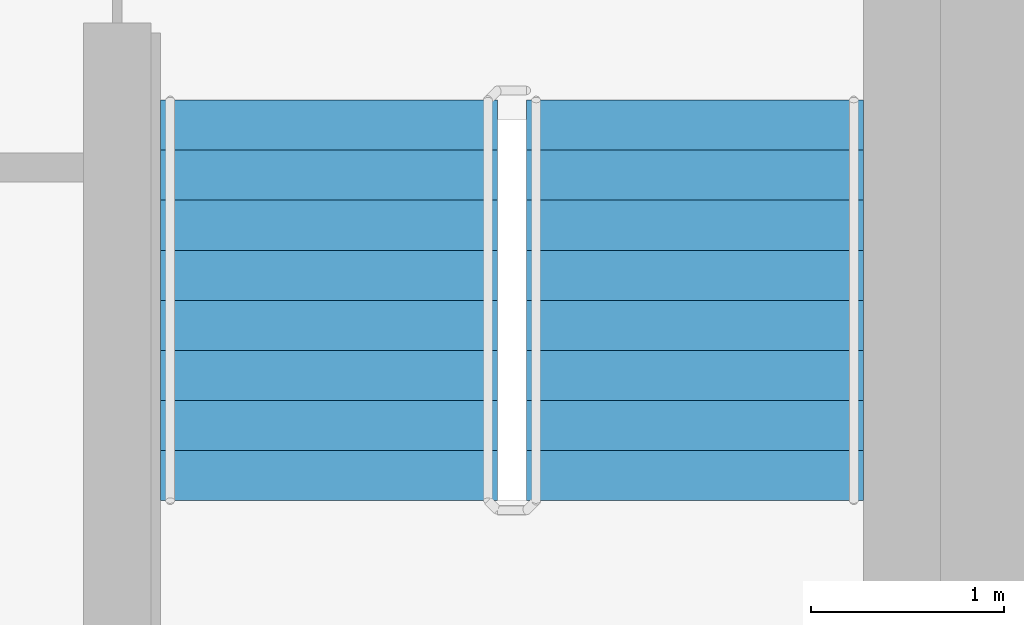
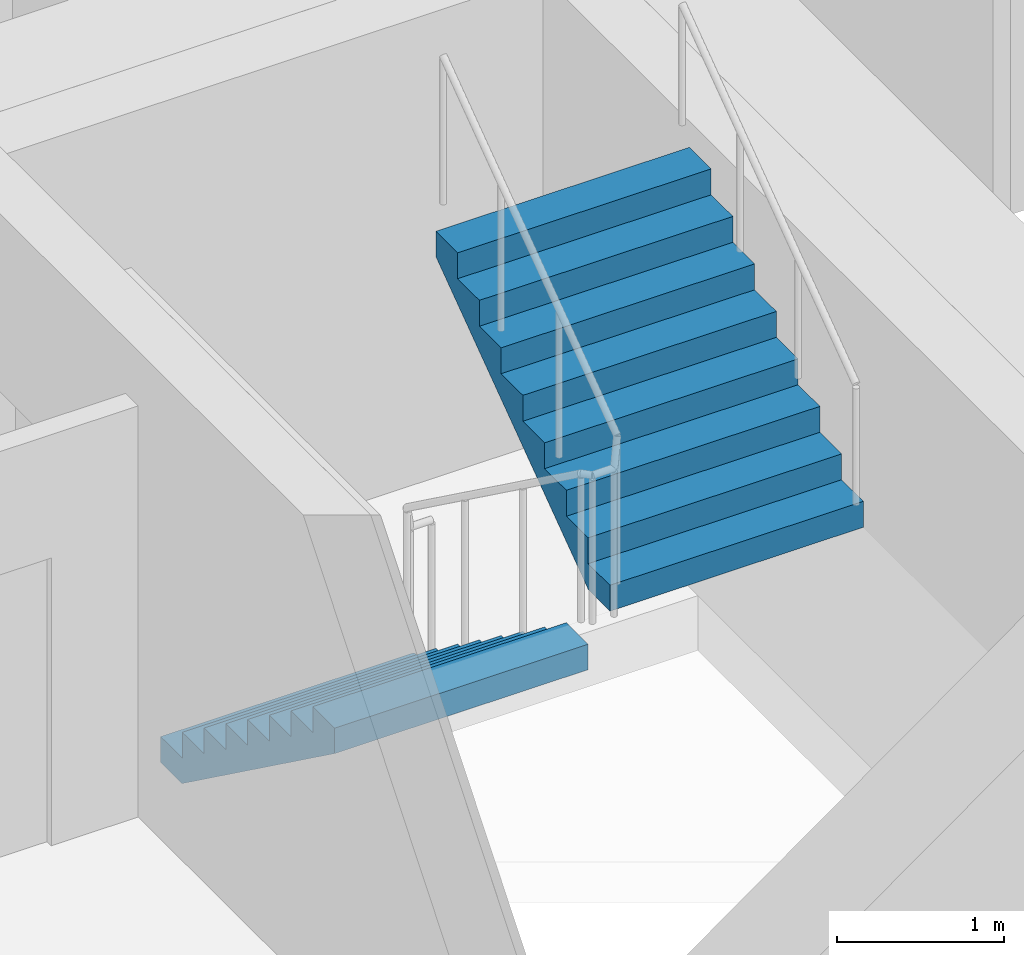
# One storey, part 14 of 18: 2 stair flights, 1 element without a shape of its own.
"""IFC4 building model written with IfcOpenShell, lengths in metres."""

from ifc_helpers import new_model, si_unit, direction, frame, origin, place, context, subcontext, project, spatial, faceted_brep, material, type_object, element, aggregate, save


model = new_model("IFC4")

# Units and contexts
model_context = context("Model", 3, precision=1e-05, world=origin(), true_north=direction((0.0, 1.0)))
body_context = subcontext(model_context, "Body", "Model", "MODEL_VIEW")
ifc_project = project(units=[si_unit("LENGTHUNIT", "METRE"), si_unit("AREAUNIT", "SQUARE_METRE"), si_unit("VOLUMEUNIT", "CUBIC_METRE"), si_unit("PLANEANGLEUNIT", "RADIAN"), si_unit("MASSUNIT", "GRAM", prefix="KILO")], contexts=[model_context])

# Site, building, storey
site_placement = place(None, origin())
site = spatial("IfcSite", under=ifc_project, at=site_placement, CompositionType="ELEMENT")
building_placement = place(site_placement, origin())
building = spatial("IfcBuilding", under=site, at=building_placement, Name="Ipe Terrace Towers", CompositionType="ELEMENT")
storey_placement = place(building_placement, frame((0.0, 0.0, 164.300048828125)))
storey = spatial("IfcBuildingStorey", under=building, at=storey_placement, Name="L45", CompositionType="ELEMENT", Elevation=164.300048828125)

# Stair, stair flights
ifc_material_1 = material(Name="Concrete C30/37", Category="concrete")
stair_type = type_object("IfcStairType", Name="Protected exit stair", PredefinedType="HALF_TURN_STAIR", material=ifc_material_1)
stair_placement = place(storey_placement, origin())
stair = element("IfcStair", 1, at=stair_placement, inside=storey, type_object=stair_type, Name="L45 Exit stair T2-C2", PredefinedType="HALF_TURN_STAIR")
ifc_material_2 = material(Name="Concrete C30/37", Category="concrete")
stair_flight_type = type_object("IfcStairFlightType", Name="Exit stair flight 1750", PredefinedType="STRAIGHT", material=ifc_material_2)
stair_flight_1_placement = place(storey_placement, frame((38.77490234375, -9.699951171875, 0.0), z_axis=(0.0, 0.0, 1.0), x_axis=(0.0, -1.0, 0.0)))
stair_flight_1 = element("IfcStairFlight", 2, at=stair_flight_1_placement, type_object=stair_flight_type, Name="T2-ST2 flight 1", NumberOfRisers=9, NumberOfTreads=8, PredefinedType="STRAIGHT", RiserHeight=0.188888889, TreadLength=0.26, context=body_context, shape_type="Brep", body=[
    faceted_brep([(0.255126953125, -0.875, 0.0), (2.080078125, -0.875, 1.325927734375), (2.080078125, -0.875, 1.51123046875), (1.820068359375, -0.875, 1.51123046875), (1.820068359375, -0.875, 1.322265625), (1.56005859375, -0.875, 1.322265625), (1.56005859375, -0.875, 1.13330078125), (1.300048828125, -0.875, 1.13330078125), (1.300048828125, -0.875, 0.9443359375), (1.0400390625, -0.875, 0.9443359375), (1.0400390625, -0.875, 0.755615234375), (0.780029296875, -0.875, 0.755615234375), (0.780029296875, -0.875, 0.566650390625), (0.52001953125, -0.875, 0.566650390625), (0.52001953125, -0.875, 0.377685546875), (0.260009765625, -0.875, 0.377685546875), (0.260009765625, -0.875, 0.18896484375), (0.0, -0.875, 0.18896484375), (0.0, -0.875, 0.0), (0.0, 0.875, 0.0), (0.0, 0.875, 0.18896484375), (0.260009765625, 0.875, 0.18896484375), (0.260009765625, 0.875, 0.377685546875), (0.52001953125, 0.875, 0.377685546875), (0.52001953125, 0.875, 0.566650390625), (0.780029296875, 0.875, 0.566650390625), (0.780029296875, 0.875, 0.755615234375), (1.0400390625, 0.875, 0.755615234375), (1.0400390625, 0.875, 0.9443359375), (1.300048828125, 0.875, 0.9443359375), (1.300048828125, 0.875, 1.13330078125), (1.56005859375, 0.875, 1.13330078125), (1.56005859375, 0.875, 1.322265625), (1.820068359375, 0.875, 1.322265625), (1.820068359375, 0.875, 1.51123046875), (2.080078125, 0.875, 1.51123046875), (2.080078125, 0.875, 1.325927734375), (0.255126953125, 0.875, 0.0), (0.0, -0.300048828125, 0.18896484375), (0.0, -0.1201171875, 0.18896484375), (0.0, -0.06005859375, 0.18896484375), (0.0, -0.030029296875, 0.18896484375), (0.0, -0.010009765625, 0.18896484375), (0.0, 0.0, 0.18896484375), (0.0, 0.010009765625, 0.18896484375), (0.0, 0.030029296875, 0.18896484375), (0.0, 0.06005859375, 0.18896484375), (0.0, 0.1201171875, 0.18896484375), (0.0, 0.300048828125, 0.18896484375), (0.0, 0.300048828125, 0.0), (0.0, 0.1201171875, 0.0), (0.0, 0.06005859375, 0.0), (0.0, 0.030029296875, 0.0), (0.0, 0.010009765625, 0.0), (0.0, 0.0, 0.0), (0.0, -0.010009765625, 0.0), (0.0, -0.030029296875, 0.0), (0.0, -0.06005859375, 0.0), (0.0, -0.1201171875, 0.0), (0.0, -0.300048828125, 0.0), (0.260009765625, -0.300048828125, 0.18896484375), (0.260009765625, -0.1201171875, 0.18896484375), (0.260009765625, -0.06005859375, 0.18896484375), (0.260009765625, -0.030029296875, 0.18896484375), (0.260009765625, -0.010009765625, 0.18896484375), (0.260009765625, 0.0, 0.18896484375), (0.260009765625, 0.010009765625, 0.18896484375), (0.260009765625, 0.030029296875, 0.18896484375), (0.260009765625, 0.06005859375, 0.18896484375), (0.260009765625, 0.1201171875, 0.18896484375), (0.260009765625, 0.300048828125, 0.18896484375), (0.260009765625, -0.300048828125, 0.377685546875), (0.260009765625, -0.1201171875, 0.377685546875), (0.260009765625, -0.06005859375, 0.377685546875), (0.260009765625, -0.030029296875, 0.377685546875), (0.260009765625, -0.010009765625, 0.377685546875), (0.260009765625, 0.0, 0.377685546875), (0.260009765625, 0.010009765625, 0.377685546875), (0.260009765625, 0.030029296875, 0.377685546875), (0.260009765625, 0.06005859375, 0.377685546875), (0.260009765625, 0.1201171875, 0.377685546875), (0.260009765625, 0.300048828125, 0.377685546875), (0.52001953125, -0.300048828125, 0.377685546875), (0.52001953125, -0.1201171875, 0.377685546875), (0.52001953125, -0.06005859375, 0.377685546875), (0.52001953125, -0.030029296875, 0.377685546875), (0.52001953125, -0.010009765625, 0.377685546875), (0.52001953125, 0.0, 0.377685546875), (0.52001953125, 0.010009765625, 0.377685546875), (0.52001953125, 0.030029296875, 0.377685546875), (0.52001953125, 0.06005859375, 0.377685546875), (0.52001953125, 0.1201171875, 0.377685546875), (0.52001953125, 0.300048828125, 0.377685546875), (0.52001953125, -0.300048828125, 0.566650390625), (0.52001953125, -0.1201171875, 0.566650390625), (0.52001953125, -0.06005859375, 0.566650390625), (0.52001953125, -0.030029296875, 0.566650390625), (0.52001953125, -0.010009765625, 0.566650390625), (0.52001953125, 0.0, 0.566650390625), (0.52001953125, 0.010009765625, 0.566650390625), (0.52001953125, 0.030029296875, 0.566650390625), (0.52001953125, 0.06005859375, 0.566650390625), (0.52001953125, 0.1201171875, 0.566650390625), (0.52001953125, 0.300048828125, 0.566650390625), (0.780029296875, -0.300048828125, 0.566650390625), (0.780029296875, -0.1201171875, 0.566650390625), (0.780029296875, -0.06005859375, 0.566650390625), (0.780029296875, -0.030029296875, 0.566650390625), (0.780029296875, -0.010009765625, 0.566650390625), (0.780029296875, 0.0, 0.566650390625), (0.780029296875, 0.010009765625, 0.566650390625), (0.780029296875, 0.030029296875, 0.566650390625), (0.780029296875, 0.06005859375, 0.566650390625), (0.780029296875, 0.1201171875, 0.566650390625), (0.780029296875, 0.300048828125, 0.566650390625), (0.780029296875, -0.300048828125, 0.755615234375), (0.780029296875, -0.1201171875, 0.755615234375), (0.780029296875, -0.06005859375, 0.755615234375), (0.780029296875, -0.030029296875, 0.755615234375), (0.780029296875, -0.010009765625, 0.755615234375), (0.780029296875, 0.0, 0.755615234375), (0.780029296875, 0.010009765625, 0.755615234375), (0.780029296875, 0.030029296875, 0.755615234375), (0.780029296875, 0.06005859375, 0.755615234375), (0.780029296875, 0.1201171875, 0.755615234375), (0.780029296875, 0.300048828125, 0.755615234375), (1.0400390625, -0.300048828125, 0.755615234375), (1.0400390625, -0.1201171875, 0.755615234375), (1.0400390625, -0.06005859375, 0.755615234375), (1.0400390625, -0.030029296875, 0.755615234375), (1.0400390625, -0.010009765625, 0.755615234375), (1.0400390625, 0.0, 0.755615234375), (1.0400390625, 0.010009765625, 0.755615234375), (1.0400390625, 0.030029296875, 0.755615234375), (1.0400390625, 0.06005859375, 0.755615234375), (1.0400390625, 0.1201171875, 0.755615234375), (1.0400390625, 0.300048828125, 0.755615234375), (1.0400390625, -0.300048828125, 0.9443359375), (1.0400390625, -0.1201171875, 0.9443359375), (1.0400390625, -0.06005859375, 0.9443359375), (1.0400390625, -0.030029296875, 0.9443359375), (1.0400390625, -0.010009765625, 0.9443359375), (1.0400390625, 0.0, 0.9443359375), (1.0400390625, 0.010009765625, 0.9443359375), (1.0400390625, 0.030029296875, 0.9443359375), (1.0400390625, 0.06005859375, 0.9443359375), (1.0400390625, 0.1201171875, 0.9443359375), (1.0400390625, 0.300048828125, 0.9443359375), (1.300048828125, -0.300048828125, 0.9443359375), (1.300048828125, -0.1201171875, 0.9443359375), (1.300048828125, -0.06005859375, 0.9443359375), (1.300048828125, -0.030029296875, 0.9443359375), (1.300048828125, -0.010009765625, 0.9443359375), (1.300048828125, 0.0, 0.9443359375), (1.300048828125, 0.010009765625, 0.9443359375), (1.300048828125, 0.030029296875, 0.9443359375), (1.300048828125, 0.06005859375, 0.9443359375), (1.300048828125, 0.1201171875, 0.9443359375), (1.300048828125, 0.300048828125, 0.9443359375), (1.300048828125, -0.300048828125, 1.13330078125), (1.300048828125, -0.1201171875, 1.13330078125), (1.300048828125, -0.06005859375, 1.13330078125), (1.300048828125, -0.030029296875, 1.13330078125), (1.300048828125, -0.010009765625, 1.13330078125), (1.300048828125, 0.0, 1.13330078125), (1.300048828125, 0.010009765625, 1.13330078125), (1.300048828125, 0.030029296875, 1.13330078125), (1.300048828125, 0.06005859375, 1.13330078125), (1.300048828125, 0.1201171875, 1.13330078125), (1.300048828125, 0.300048828125, 1.13330078125), (1.56005859375, -0.300048828125, 1.13330078125), (1.56005859375, -0.1201171875, 1.13330078125), (1.56005859375, -0.06005859375, 1.13330078125), (1.56005859375, -0.030029296875, 1.13330078125), (1.56005859375, -0.010009765625, 1.13330078125), (1.56005859375, 0.0, 1.13330078125), (1.56005859375, 0.010009765625, 1.13330078125), (1.56005859375, 0.030029296875, 1.13330078125), (1.56005859375, 0.06005859375, 1.13330078125), (1.56005859375, 0.1201171875, 1.13330078125), (1.56005859375, 0.300048828125, 1.13330078125), (1.56005859375, -0.300048828125, 1.322265625), (1.56005859375, -0.1201171875, 1.322265625), (1.56005859375, -0.06005859375, 1.322265625), (1.56005859375, -0.030029296875, 1.322265625), (1.56005859375, -0.010009765625, 1.322265625), (1.56005859375, 0.0, 1.322265625), (1.56005859375, 0.010009765625, 1.322265625), (1.56005859375, 0.030029296875, 1.322265625), (1.56005859375, 0.06005859375, 1.322265625), (1.56005859375, 0.1201171875, 1.322265625), (1.56005859375, 0.300048828125, 1.322265625), (1.820068359375, -0.300048828125, 1.322265625), (1.820068359375, -0.1201171875, 1.322265625), (1.820068359375, -0.06005859375, 1.322265625), (1.820068359375, -0.030029296875, 1.322265625), (1.820068359375, -0.010009765625, 1.322265625), (1.820068359375, 0.0, 1.322265625), (1.820068359375, 0.010009765625, 1.322265625), (1.820068359375, 0.030029296875, 1.322265625), (1.820068359375, 0.06005859375, 1.322265625), (1.820068359375, 0.1201171875, 1.322265625), (1.820068359375, 0.300048828125, 1.322265625), (1.820068359375, -0.300048828125, 1.51123046875), (1.820068359375, -0.1201171875, 1.51123046875), (1.820068359375, -0.06005859375, 1.51123046875), (1.820068359375, -0.030029296875, 1.51123046875), (1.820068359375, -0.010009765625, 1.51123046875), (1.820068359375, 0.0, 1.51123046875), (1.820068359375, 0.010009765625, 1.51123046875), (1.820068359375, 0.030029296875, 1.51123046875), (1.820068359375, 0.06005859375, 1.51123046875), (1.820068359375, 0.1201171875, 1.51123046875), (1.820068359375, 0.300048828125, 1.51123046875), (2.080078125, -0.300048828125, 1.51123046875), (2.080078125, -0.1201171875, 1.51123046875), (2.080078125, -0.06005859375, 1.51123046875), (2.080078125, -0.030029296875, 1.51123046875), (2.080078125, -0.010009765625, 1.51123046875), (2.080078125, 0.0, 1.51123046875), (2.080078125, 0.010009765625, 1.51123046875), (2.080078125, 0.030029296875, 1.51123046875), (2.080078125, 0.06005859375, 1.51123046875), (2.080078125, 0.1201171875, 1.51123046875), (2.080078125, 0.300048828125, 1.51123046875), (2.080078125, -0.300048828125, 1.325927734375), (2.080078125, -0.1201171875, 1.325927734375), (2.080078125, -0.06005859375, 1.325927734375), (2.080078125, -0.030029296875, 1.325927734375), (2.080078125, -0.010009765625, 1.325927734375), (2.080078125, 0.0, 1.325927734375), (2.080078125, 0.010009765625, 1.325927734375), (2.080078125, 0.030029296875, 1.325927734375), (2.080078125, 0.06005859375, 1.325927734375), (2.080078125, 0.1201171875, 1.325927734375), (2.080078125, 0.300048828125, 1.325927734375), (0.255126953125, -0.300048828125, 0.0), (0.255126953125, -0.1201171875, 0.0), (0.255126953125, -0.06005859375, 0.0), (0.255126953125, -0.030029296875, 0.0), (0.255126953125, -0.010009765625, 0.0), (0.255126953125, 0.0, 0.0), (0.255126953125, 0.010009765625, 0.0), (0.255126953125, 0.030029296875, 0.0), (0.255126953125, 0.06005859375, 0.0), (0.255126953125, 0.1201171875, 0.0), (0.255126953125, 0.300048828125, 0.0)], [[[0, 1, 2, 3, 4, 5, 6, 7, 8, 9, 10, 11, 12, 13, 14, 15, 16, 17, 18]], [[19, 20, 21, 22, 23, 24, 25, 26, 27, 28, 29, 30, 31, 32, 33, 34, 35, 36, 37]], [[17, 38, 39, 40, 41, 42, 43, 44, 45, 46, 47, 48, 20, 19, 49, 50, 51, 52, 53, 54, 55, 56, 57, 58, 59, 18]], [[16, 60, 61, 62, 63, 64, 65, 66, 67, 68, 69, 70, 21, 20, 48, 47, 46, 45, 44, 43, 42, 41, 40, 39, 38, 17]], [[15, 71, 72, 73, 74, 75, 76, 77, 78, 79, 80, 81, 22, 21, 70, 69, 68, 67, 66, 65, 64, 63, 62, 61, 60, 16]], [[14, 82, 83, 84, 85, 86, 87, 88, 89, 90, 91, 92, 23, 22, 81, 80, 79, 78, 77, 76, 75, 74, 73, 72, 71, 15]], [[13, 93, 94, 95, 96, 97, 98, 99, 100, 101, 102, 103, 24, 23, 92, 91, 90, 89, 88, 87, 86, 85, 84, 83, 82, 14]], [[12, 104, 105, 106, 107, 108, 109, 110, 111, 112, 113, 114, 25, 24, 103, 102, 101, 100, 99, 98, 97, 96, 95, 94, 93, 13]], [[11, 115, 116, 117, 118, 119, 120, 121, 122, 123, 124, 125, 26, 25, 114, 113, 112, 111, 110, 109, 108, 107, 106, 105, 104, 12]], [[10, 126, 127, 128, 129, 130, 131, 132, 133, 134, 135, 136, 27, 26, 125, 124, 123, 122, 121, 120, 119, 118, 117, 116, 115, 11]], [[9, 137, 138, 139, 140, 141, 142, 143, 144, 145, 146, 147, 28, 27, 136, 135, 134, 133, 132, 131, 130, 129, 128, 127, 126, 10]], [[8, 148, 149, 150, 151, 152, 153, 154, 155, 156, 157, 158, 29, 28, 147, 146, 145, 144, 143, 142, 141, 140, 139, 138, 137, 9]], [[7, 159, 160, 161, 162, 163, 164, 165, 166, 167, 168, 169, 30, 29, 158, 157, 156, 155, 154, 153, 152, 151, 150, 149, 148, 8]], [[6, 170, 171, 172, 173, 174, 175, 176, 177, 178, 179, 180, 31, 30, 169, 168, 167, 166, 165, 164, 163, 162, 161, 160, 159, 7]], [[5, 181, 182, 183, 184, 185, 186, 187, 188, 189, 190, 191, 32, 31, 180, 179, 178, 177, 176, 175, 174, 173, 172, 171, 170, 6]], [[4, 192, 193, 194, 195, 196, 197, 198, 199, 200, 201, 202, 33, 32, 191, 190, 189, 188, 187, 186, 185, 184, 183, 182, 181, 5]], [[3, 203, 204, 205, 206, 207, 208, 209, 210, 211, 212, 213, 34, 33, 202, 201, 200, 199, 198, 197, 196, 195, 194, 193, 192, 4]], [[2, 214, 215, 216, 217, 218, 219, 220, 221, 222, 223, 224, 35, 34, 213, 212, 211, 210, 209, 208, 207, 206, 205, 204, 203, 3]], [[1, 225, 226, 227, 228, 229, 230, 231, 232, 233, 234, 235, 36, 35, 224, 223, 222, 221, 220, 219, 218, 217, 216, 215, 214, 2]], [[0, 236, 237, 238, 239, 240, 241, 242, 243, 244, 245, 246, 37, 36, 235, 234, 233, 232, 231, 230, 229, 228, 227, 226, 225, 1]], [[18, 59, 58, 57, 56, 55, 54, 53, 52, 51, 50, 49, 19, 37, 246, 245, 244, 243, 242, 241, 240, 239, 238, 237, 236, 0]]]),
])
stair_flight_2_placement = place(storey_placement, frame((40.675048828125, -11.780029296875, 1.699951171875), z_axis=(0.0, 0.0, 1.0), x_axis=(0.0, 1.0, 0.0)))
stair_flight_2 = element("IfcStairFlight", 3, at=stair_flight_2_placement, type_object=stair_flight_type, Name="T2-ST2 flight 2", NumberOfRisers=9, NumberOfTreads=8, PredefinedType="STRAIGHT", RiserHeight=0.188888889, TreadLength=0.26, context=body_context, shape_type="Brep", body=[
    faceted_brep([(0.255126953125, -0.875, 0.0), (2.080078125, -0.875, 1.325927734375), (2.080078125, -0.875, 1.51123046875), (1.820068359375, -0.875, 1.51123046875), (1.820068359375, -0.875, 1.322265625), (1.56005859375, -0.875, 1.322265625), (1.56005859375, -0.875, 1.13330078125), (1.300048828125, -0.875, 1.13330078125), (1.300048828125, -0.875, 0.9443359375), (1.0400390625, -0.875, 0.9443359375), (1.0400390625, -0.875, 0.755615234375), (0.780029296875, -0.875, 0.755615234375), (0.780029296875, -0.875, 0.566650390625), (0.52001953125, -0.875, 0.566650390625), (0.52001953125, -0.875, 0.377685546875), (0.260009765625, -0.875, 0.377685546875), (0.260009765625, -0.875, 0.18896484375), (0.0, -0.875, 0.18896484375), (0.0, -0.875, 0.0), (0.0, 0.875, 0.0), (0.0, 0.875, 0.18896484375), (0.260009765625, 0.875, 0.18896484375), (0.260009765625, 0.875, 0.377685546875), (0.52001953125, 0.875, 0.377685546875), (0.52001953125, 0.875, 0.566650390625), (0.780029296875, 0.875, 0.566650390625), (0.780029296875, 0.875, 0.755615234375), (1.0400390625, 0.875, 0.755615234375), (1.0400390625, 0.875, 0.9443359375), (1.300048828125, 0.875, 0.9443359375), (1.300048828125, 0.875, 1.13330078125), (1.56005859375, 0.875, 1.13330078125), (1.56005859375, 0.875, 1.322265625), (1.820068359375, 0.875, 1.322265625), (1.820068359375, 0.875, 1.51123046875), (2.080078125, 0.875, 1.51123046875), (2.080078125, 0.875, 1.325927734375), (0.255126953125, 0.875, 0.0), (0.0, -0.300048828125, 0.18896484375), (0.0, -0.1201171875, 0.18896484375), (0.0, -0.06005859375, 0.18896484375), (0.0, -0.030029296875, 0.18896484375), (0.0, -0.010009765625, 0.18896484375), (0.0, 0.0, 0.18896484375), (0.0, 0.010009765625, 0.18896484375), (0.0, 0.030029296875, 0.18896484375), (0.0, 0.06005859375, 0.18896484375), (0.0, 0.1201171875, 0.18896484375), (0.0, 0.300048828125, 0.18896484375), (0.0, 0.300048828125, 0.0), (0.0, 0.1201171875, 0.0), (0.0, 0.06005859375, 0.0), (0.0, 0.030029296875, 0.0), (0.0, 0.010009765625, 0.0), (0.0, 0.0, 0.0), (0.0, -0.010009765625, 0.0), (0.0, -0.030029296875, 0.0), (0.0, -0.06005859375, 0.0), (0.0, -0.1201171875, 0.0), (0.0, -0.300048828125, 0.0), (0.260009765625, -0.300048828125, 0.18896484375), (0.260009765625, -0.1201171875, 0.18896484375), (0.260009765625, -0.06005859375, 0.18896484375), (0.260009765625, -0.030029296875, 0.18896484375), (0.260009765625, -0.010009765625, 0.18896484375), (0.260009765625, 0.0, 0.18896484375), (0.260009765625, 0.010009765625, 0.18896484375), (0.260009765625, 0.030029296875, 0.18896484375), (0.260009765625, 0.06005859375, 0.18896484375), (0.260009765625, 0.1201171875, 0.18896484375), (0.260009765625, 0.300048828125, 0.18896484375), (0.260009765625, -0.300048828125, 0.377685546875), (0.260009765625, -0.1201171875, 0.377685546875), (0.260009765625, -0.06005859375, 0.377685546875), (0.260009765625, -0.030029296875, 0.377685546875), (0.260009765625, -0.010009765625, 0.377685546875), (0.260009765625, 0.0, 0.377685546875), (0.260009765625, 0.010009765625, 0.377685546875), (0.260009765625, 0.030029296875, 0.377685546875), (0.260009765625, 0.06005859375, 0.377685546875), (0.260009765625, 0.1201171875, 0.377685546875), (0.260009765625, 0.300048828125, 0.377685546875), (0.52001953125, -0.300048828125, 0.377685546875), (0.52001953125, -0.1201171875, 0.377685546875), (0.52001953125, -0.06005859375, 0.377685546875), (0.52001953125, -0.030029296875, 0.377685546875), (0.52001953125, -0.010009765625, 0.377685546875), (0.52001953125, 0.0, 0.377685546875), (0.52001953125, 0.010009765625, 0.377685546875), (0.52001953125, 0.030029296875, 0.377685546875), (0.52001953125, 0.06005859375, 0.377685546875), (0.52001953125, 0.1201171875, 0.377685546875), (0.52001953125, 0.300048828125, 0.377685546875), (0.52001953125, -0.300048828125, 0.566650390625), (0.52001953125, -0.1201171875, 0.566650390625), (0.52001953125, -0.06005859375, 0.566650390625), (0.52001953125, -0.030029296875, 0.566650390625), (0.52001953125, -0.010009765625, 0.566650390625), (0.52001953125, 0.0, 0.566650390625), (0.52001953125, 0.010009765625, 0.566650390625), (0.52001953125, 0.030029296875, 0.566650390625), (0.52001953125, 0.06005859375, 0.566650390625), (0.52001953125, 0.1201171875, 0.566650390625), (0.52001953125, 0.300048828125, 0.566650390625), (0.780029296875, -0.300048828125, 0.566650390625), (0.780029296875, -0.1201171875, 0.566650390625), (0.780029296875, -0.06005859375, 0.566650390625), (0.780029296875, -0.030029296875, 0.566650390625), (0.780029296875, -0.010009765625, 0.566650390625), (0.780029296875, 0.0, 0.566650390625), (0.780029296875, 0.010009765625, 0.566650390625), (0.780029296875, 0.030029296875, 0.566650390625), (0.780029296875, 0.06005859375, 0.566650390625), (0.780029296875, 0.1201171875, 0.566650390625), (0.780029296875, 0.300048828125, 0.566650390625), (0.780029296875, -0.300048828125, 0.755615234375), (0.780029296875, -0.1201171875, 0.755615234375), (0.780029296875, -0.06005859375, 0.755615234375), (0.780029296875, -0.030029296875, 0.755615234375), (0.780029296875, -0.010009765625, 0.755615234375), (0.780029296875, 0.0, 0.755615234375), (0.780029296875, 0.010009765625, 0.755615234375), (0.780029296875, 0.030029296875, 0.755615234375), (0.780029296875, 0.06005859375, 0.755615234375), (0.780029296875, 0.1201171875, 0.755615234375), (0.780029296875, 0.300048828125, 0.755615234375), (1.0400390625, -0.300048828125, 0.755615234375), (1.0400390625, -0.1201171875, 0.755615234375), (1.0400390625, -0.06005859375, 0.755615234375), (1.0400390625, -0.030029296875, 0.755615234375), (1.0400390625, -0.010009765625, 0.755615234375), (1.0400390625, 0.0, 0.755615234375), (1.0400390625, 0.010009765625, 0.755615234375), (1.0400390625, 0.030029296875, 0.755615234375), (1.0400390625, 0.06005859375, 0.755615234375), (1.0400390625, 0.1201171875, 0.755615234375), (1.0400390625, 0.300048828125, 0.755615234375), (1.0400390625, -0.300048828125, 0.9443359375), (1.0400390625, -0.1201171875, 0.9443359375), (1.0400390625, -0.06005859375, 0.9443359375), (1.0400390625, -0.030029296875, 0.9443359375), (1.0400390625, -0.010009765625, 0.9443359375), (1.0400390625, 0.0, 0.9443359375), (1.0400390625, 0.010009765625, 0.9443359375), (1.0400390625, 0.030029296875, 0.9443359375), (1.0400390625, 0.06005859375, 0.9443359375), (1.0400390625, 0.1201171875, 0.9443359375), (1.0400390625, 0.300048828125, 0.9443359375), (1.300048828125, -0.300048828125, 0.9443359375), (1.300048828125, -0.1201171875, 0.9443359375), (1.300048828125, -0.06005859375, 0.9443359375), (1.300048828125, -0.030029296875, 0.9443359375), (1.300048828125, -0.010009765625, 0.9443359375), (1.300048828125, 0.0, 0.9443359375), (1.300048828125, 0.010009765625, 0.9443359375), (1.300048828125, 0.030029296875, 0.9443359375), (1.300048828125, 0.06005859375, 0.9443359375), (1.300048828125, 0.1201171875, 0.9443359375), (1.300048828125, 0.300048828125, 0.9443359375), (1.300048828125, -0.300048828125, 1.13330078125), (1.300048828125, -0.1201171875, 1.13330078125), (1.300048828125, -0.06005859375, 1.13330078125), (1.300048828125, -0.030029296875, 1.13330078125), (1.300048828125, -0.010009765625, 1.13330078125), (1.300048828125, 0.0, 1.13330078125), (1.300048828125, 0.010009765625, 1.13330078125), (1.300048828125, 0.030029296875, 1.13330078125), (1.300048828125, 0.06005859375, 1.13330078125), (1.300048828125, 0.1201171875, 1.13330078125), (1.300048828125, 0.300048828125, 1.13330078125), (1.56005859375, -0.300048828125, 1.13330078125), (1.56005859375, -0.1201171875, 1.13330078125), (1.56005859375, -0.06005859375, 1.13330078125), (1.56005859375, -0.030029296875, 1.13330078125), (1.56005859375, -0.010009765625, 1.13330078125), (1.56005859375, 0.0, 1.13330078125), (1.56005859375, 0.010009765625, 1.13330078125), (1.56005859375, 0.030029296875, 1.13330078125), (1.56005859375, 0.06005859375, 1.13330078125), (1.56005859375, 0.1201171875, 1.13330078125), (1.56005859375, 0.300048828125, 1.13330078125), (1.56005859375, -0.300048828125, 1.322265625), (1.56005859375, -0.1201171875, 1.322265625), (1.56005859375, -0.06005859375, 1.322265625), (1.56005859375, -0.030029296875, 1.322265625), (1.56005859375, -0.010009765625, 1.322265625), (1.56005859375, 0.0, 1.322265625), (1.56005859375, 0.010009765625, 1.322265625), (1.56005859375, 0.030029296875, 1.322265625), (1.56005859375, 0.06005859375, 1.322265625), (1.56005859375, 0.1201171875, 1.322265625), (1.56005859375, 0.300048828125, 1.322265625), (1.820068359375, -0.300048828125, 1.322265625), (1.820068359375, -0.1201171875, 1.322265625), (1.820068359375, -0.06005859375, 1.322265625), (1.820068359375, -0.030029296875, 1.322265625), (1.820068359375, -0.010009765625, 1.322265625), (1.820068359375, 0.0, 1.322265625), (1.820068359375, 0.010009765625, 1.322265625), (1.820068359375, 0.030029296875, 1.322265625), (1.820068359375, 0.06005859375, 1.322265625), (1.820068359375, 0.1201171875, 1.322265625), (1.820068359375, 0.300048828125, 1.322265625), (1.820068359375, -0.300048828125, 1.51123046875), (1.820068359375, -0.1201171875, 1.51123046875), (1.820068359375, -0.06005859375, 1.51123046875), (1.820068359375, -0.030029296875, 1.51123046875), (1.820068359375, -0.010009765625, 1.51123046875), (1.820068359375, 0.0, 1.51123046875), (1.820068359375, 0.010009765625, 1.51123046875), (1.820068359375, 0.030029296875, 1.51123046875), (1.820068359375, 0.06005859375, 1.51123046875), (1.820068359375, 0.1201171875, 1.51123046875), (1.820068359375, 0.300048828125, 1.51123046875), (2.080078125, -0.300048828125, 1.51123046875), (2.080078125, -0.1201171875, 1.51123046875), (2.080078125, -0.06005859375, 1.51123046875), (2.080078125, -0.030029296875, 1.51123046875), (2.080078125, -0.010009765625, 1.51123046875), (2.080078125, 0.0, 1.51123046875), (2.080078125, 0.010009765625, 1.51123046875), (2.080078125, 0.030029296875, 1.51123046875), (2.080078125, 0.06005859375, 1.51123046875), (2.080078125, 0.1201171875, 1.51123046875), (2.080078125, 0.300048828125, 1.51123046875), (2.080078125, -0.300048828125, 1.325927734375), (2.080078125, -0.1201171875, 1.325927734375), (2.080078125, -0.06005859375, 1.325927734375), (2.080078125, -0.030029296875, 1.325927734375), (2.080078125, -0.010009765625, 1.325927734375), (2.080078125, 0.0, 1.325927734375), (2.080078125, 0.010009765625, 1.325927734375), (2.080078125, 0.030029296875, 1.325927734375), (2.080078125, 0.06005859375, 1.325927734375), (2.080078125, 0.1201171875, 1.325927734375), (2.080078125, 0.300048828125, 1.325927734375), (0.255126953125, -0.300048828125, 0.0), (0.255126953125, -0.1201171875, 0.0), (0.255126953125, -0.06005859375, 0.0), (0.255126953125, -0.030029296875, 0.0), (0.255126953125, -0.010009765625, 0.0), (0.255126953125, 0.0, 0.0), (0.255126953125, 0.010009765625, 0.0), (0.255126953125, 0.030029296875, 0.0), (0.255126953125, 0.06005859375, 0.0), (0.255126953125, 0.1201171875, 0.0), (0.255126953125, 0.300048828125, 0.0)], [[[0, 1, 2, 3, 4, 5, 6, 7, 8, 9, 10, 11, 12, 13, 14, 15, 16, 17, 18]], [[19, 20, 21, 22, 23, 24, 25, 26, 27, 28, 29, 30, 31, 32, 33, 34, 35, 36, 37]], [[17, 38, 39, 40, 41, 42, 43, 44, 45, 46, 47, 48, 20, 19, 49, 50, 51, 52, 53, 54, 55, 56, 57, 58, 59, 18]], [[16, 60, 61, 62, 63, 64, 65, 66, 67, 68, 69, 70, 21, 20, 48, 47, 46, 45, 44, 43, 42, 41, 40, 39, 38, 17]], [[15, 71, 72, 73, 74, 75, 76, 77, 78, 79, 80, 81, 22, 21, 70, 69, 68, 67, 66, 65, 64, 63, 62, 61, 60, 16]], [[14, 82, 83, 84, 85, 86, 87, 88, 89, 90, 91, 92, 23, 22, 81, 80, 79, 78, 77, 76, 75, 74, 73, 72, 71, 15]], [[13, 93, 94, 95, 96, 97, 98, 99, 100, 101, 102, 103, 24, 23, 92, 91, 90, 89, 88, 87, 86, 85, 84, 83, 82, 14]], [[12, 104, 105, 106, 107, 108, 109, 110, 111, 112, 113, 114, 25, 24, 103, 102, 101, 100, 99, 98, 97, 96, 95, 94, 93, 13]], [[11, 115, 116, 117, 118, 119, 120, 121, 122, 123, 124, 125, 26, 25, 114, 113, 112, 111, 110, 109, 108, 107, 106, 105, 104, 12]], [[10, 126, 127, 128, 129, 130, 131, 132, 133, 134, 135, 136, 27, 26, 125, 124, 123, 122, 121, 120, 119, 118, 117, 116, 115, 11]], [[9, 137, 138, 139, 140, 141, 142, 143, 144, 145, 146, 147, 28, 27, 136, 135, 134, 133, 132, 131, 130, 129, 128, 127, 126, 10]], [[8, 148, 149, 150, 151, 152, 153, 154, 155, 156, 157, 158, 29, 28, 147, 146, 145, 144, 143, 142, 141, 140, 139, 138, 137, 9]], [[7, 159, 160, 161, 162, 163, 164, 165, 166, 167, 168, 169, 30, 29, 158, 157, 156, 155, 154, 153, 152, 151, 150, 149, 148, 8]], [[6, 170, 171, 172, 173, 174, 175, 176, 177, 178, 179, 180, 31, 30, 169, 168, 167, 166, 165, 164, 163, 162, 161, 160, 159, 7]], [[5, 181, 182, 183, 184, 185, 186, 187, 188, 189, 190, 191, 32, 31, 180, 179, 178, 177, 176, 175, 174, 173, 172, 171, 170, 6]], [[4, 192, 193, 194, 195, 196, 197, 198, 199, 200, 201, 202, 33, 32, 191, 190, 189, 188, 187, 186, 185, 184, 183, 182, 181, 5]], [[3, 203, 204, 205, 206, 207, 208, 209, 210, 211, 212, 213, 34, 33, 202, 201, 200, 199, 198, 197, 196, 195, 194, 193, 192, 4]], [[2, 214, 215, 216, 217, 218, 219, 220, 221, 222, 223, 224, 35, 34, 213, 212, 211, 210, 209, 208, 207, 206, 205, 204, 203, 3]], [[1, 225, 226, 227, 228, 229, 230, 231, 232, 233, 234, 235, 36, 35, 224, 223, 222, 221, 220, 219, 218, 217, 216, 215, 214, 2]], [[0, 236, 237, 238, 239, 240, 241, 242, 243, 244, 245, 246, 37, 36, 235, 234, 233, 232, 231, 230, 229, 228, 227, 226, 225, 1]], [[18, 59, 58, 57, 56, 55, 54, 53, 52, 51, 50, 49, 19, 37, 246, 245, 244, 243, 242, 241, 240, 239, 238, 237, 236, 0]]]),
])
aggregate(stair, [stair_flight_1, stair_flight_2])

save(model, "model.ifc")
